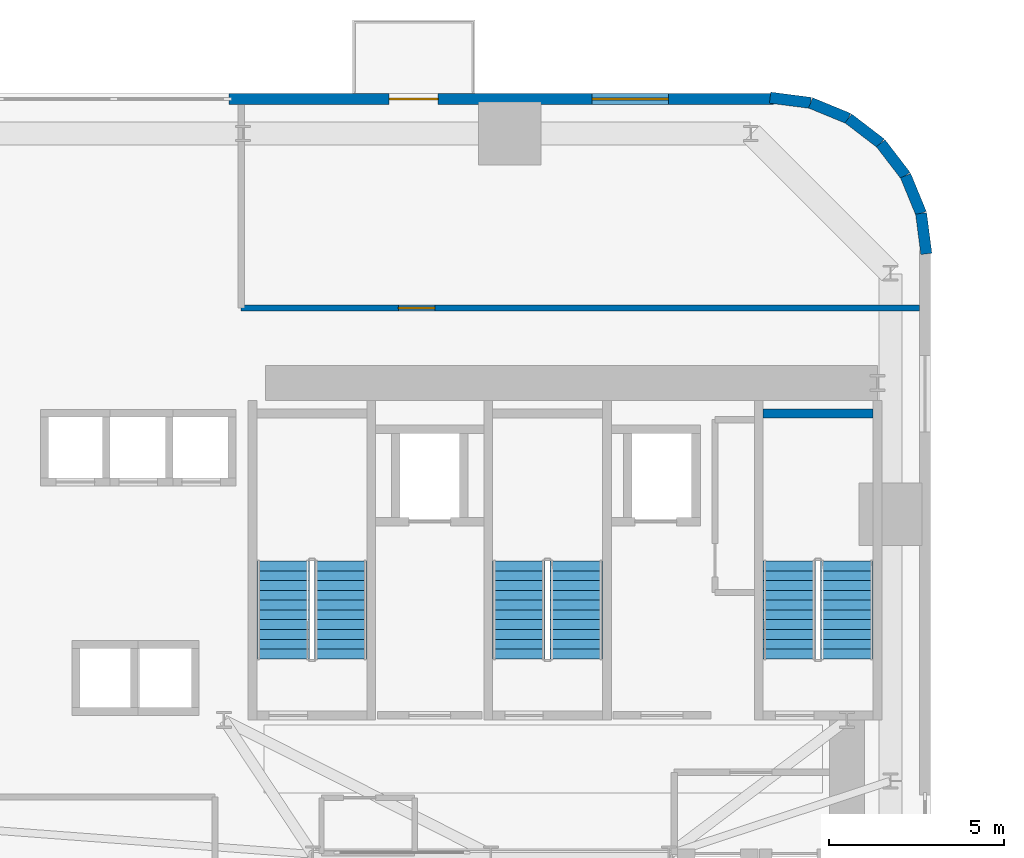
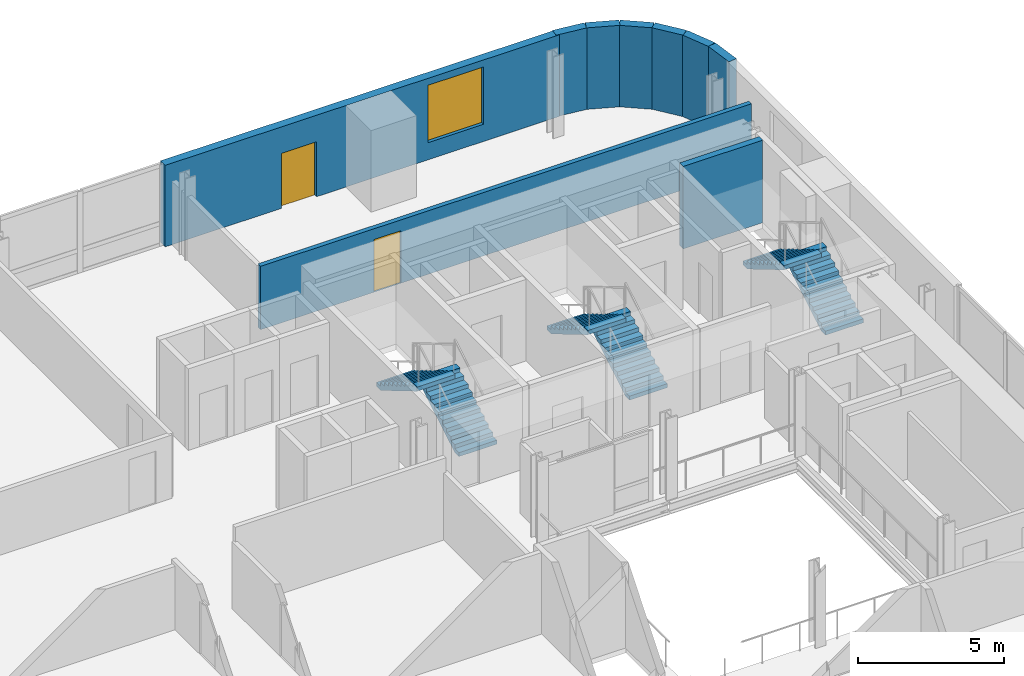
# One storey, part 9 of 13: 9 walls, 6 stair flights, 2 doors, 1 window, 3 openings, 3 elements without a shape of their own.
"""IFC4 building model written with IfcOpenShell, lengths in metres."""

from ifc_helpers import new_model, si_unit, direction, frame, frame_2d, origin, place, context, subcontext, project, spatial, polyline, rectangle, outline, extrude, source, transform, mapped, material, layer, layer_set, type_object, element, fill, aggregate, save


model = new_model("IFC4")

# Units and contexts
model_context = context("Model", 3, precision=1e-05, world=origin(), true_north=direction((0.0, 1.0)))
body_context = subcontext(model_context, "Body", "Model", "MODEL_VIEW")
ifc_project = project(units=[si_unit("LENGTHUNIT", "METRE"), si_unit("AREAUNIT", "SQUARE_METRE"), si_unit("VOLUMEUNIT", "CUBIC_METRE"), si_unit("PLANEANGLEUNIT", "RADIAN"), si_unit("MASSUNIT", "GRAM", prefix="KILO")], contexts=[model_context])

# Site, building, storey
site_placement = place(None, origin())
site = spatial("IfcSite", under=ifc_project, at=site_placement, CompositionType="ELEMENT")
building_placement = place(site_placement, origin())
building = spatial("IfcBuilding", under=site, at=building_placement, Name="Vardaveli Station Tower", CompositionType="ELEMENT")
storey_placement = place(building_placement, frame((0.0, 0.0, 31.25)))
storey = spatial("IfcBuildingStorey", under=building, at=storey_placement, Name="L07", CompositionType="ELEMENT", Elevation=31.25)

# Wall, openings, door, window
ifc_material_1 = material(Name="Precast concrete C45/55", Category="concrete")
ifc_layer_1 = layer(ifc_material_1, 0.320068359375, Name="Precast concrete C45/55")
ifc_layer_set_1 = layer_set([ifc_layer_1], Name="Precast concrete C45/55")
wall_type_1 = type_object("IfcWallType", Name="WAL-EXT-STONE-320", PredefinedType="SOLIDWALL", material=ifc_layer_set_1)
shared_shape_1 = source(origin(), body_context, "Body", "SweptSolid", [
    extrude(rectangle(XDim=15.599853515625, YDim=0.320068359375, at=frame_2d((7.7998046875, 0.0))), origin(), (0.0, 0.0, 1.0), 3.409912109375),
])
wall_1_placement = place(storey_placement, frame((44.39990234375, 48.43994140625, 0.0), z_axis=(0.0, 0.0, 1.0), x_axis=(-1.0, 0.0, 0.0)))
wall_1 = element("IfcWall", 1, at=wall_1_placement, inside=storey, type_object=wall_type_1, Name="EW-L07-N1", PredefinedType="SOLIDWALL", context=body_context, shape_type="MappedRepresentation", body=[
    mapped(shared_shape_1, transform((0.0, 0.0, 0.0), scale=1.0)),
])
shared_shape_2 = source(origin(), body_context, "Body", "SweptSolid", [
    extrude(rectangle(XDim=1.39990234375, YDim=2.300048828125, at=frame_2d((0.699951171875, 1.14990234375))), frame((0.0, 0.169921875, 0.0), z_axis=(0.0, -1.0, 0.0), x_axis=(1.0, 0.0, 0.0)), (0.0, 0.0, 1.0), 0.340087890625),
])
opening_1_placement = place(wall_1_placement, frame((9.6103515625, 0.0, 0.0)))
opening_1 = element("IfcOpeningElement", 2, at=opening_1_placement, cuts=wall_1, Name="Opening D-09", PredefinedType="OPENING", context=body_context, shape_type="MappedRepresentation", body=[
    mapped(shared_shape_2, transform((0.0, 0.0, 0.0), scale=1.0)),
])
shared_shape_3 = source(origin(), body_context, "Body", "SweptSolid", [
    extrude(rectangle(XDim=2.199951171875, YDim=2.39990234375, at=frame_2d((1.10009765625, 1.199951171875))), frame((0.0, 0.169921875, 0.0), z_axis=(0.0, -1.0, 0.0), x_axis=(1.0, 0.0, 0.0)), (0.0, 0.0, 1.0), 0.340087890625),
])
opening_2_placement = place(wall_1_placement, frame((3.0048828125, 0.0, 0.719970703125)))
opening_2 = element("IfcOpeningElement", 3, at=opening_2_placement, cuts=wall_1, Name="Opening W-03", PredefinedType="OPENING", context=body_context, shape_type="MappedRepresentation", body=[
    mapped(shared_shape_3, transform((0.0, 0.0, 0.0), scale=1.0)),
])
ifc_material_2 = material(Name="Thermally broken aluminium glass", Category="aluminium")
door_type_1 = type_object("IfcDoorType", Name="DR-LOG-1400x2300", OperationType="DOUBLE_DOOR_SLIDING", PredefinedType="DOOR", material=ifc_material_2)
shared_shape_4 = source(origin(), body_context, "Body", "SweptSolid", [
    extrude(rectangle(XDim=1.39990234375, YDim=2.300048828125, at=frame_2d((0.699951171875, 1.14990234375))), frame((0.0, 0.02490234375, 0.0), z_axis=(0.0, -1.0, 0.0), x_axis=(1.0, 0.0, 0.0)), (0.0, 0.0, 1.0), 0.050048828125),
])
door_1_placement = place(opening_1_placement, frame((1.39990234375, 0.0, 0.0), z_axis=(0.0, 0.0, 1.0), x_axis=(-1.0, 0.0, 0.0)))
door_1 = element("IfcDoor", 4, at=door_1_placement, inside=storey, type_object=door_type_1, Name="DLG-L07-N", OperationType="DOUBLE_DOOR_SLIDING", OverallHeight=2.300048828125, OverallWidth=1.39990234375, PredefinedType="DOOR", context=body_context, shape_type="MappedRepresentation", body=[
    mapped(shared_shape_4, transform((0.0, 0.0, 0.0), scale=1.0)),
])
fill(opening_1, door_1)
ifc_material_3 = material(Name="Low-E solar-control glass", Category="glass")
window_type = type_object("IfcWindowType", Name="WIN-LOG-2200x2400", PartitioningType="SINGLE_PANEL", PredefinedType="WINDOW", material=ifc_material_3)
shared_shape_5 = source(origin(), body_context, "Body", "SweptSolid", [
    extrude(rectangle(XDim=2.199951171875, YDim=2.39990234375, at=frame_2d((1.10009765625, 1.199951171875))), frame((0.0, 0.030029296875, 0.0), z_axis=(0.0, -1.0, 0.0), x_axis=(1.0, 0.0, 0.0)), (0.0, 0.0, 1.0), 0.06005859375),
])
window_placement = place(opening_2_placement, origin())
window = element("IfcWindow", 5, at=window_placement, inside=storey, type_object=window_type, Name="WN-L07-N1", OverallHeight=2.39990234375, OverallWidth=2.199951171875, PartitioningType="SINGLE_PANEL", PredefinedType="WINDOW", context=body_context, shape_type="MappedRepresentation", body=[
    mapped(shared_shape_5, transform((0.0, 0.0, 0.0), scale=1.0)),
])
fill(opening_2, window)

# Walls
shared_shape_6 = source(origin(), body_context, "Body", "SweptSolid", [
    extrude(rectangle(XDim=1.1689453125, YDim=0.320068359375, at=frame_2d((0.58447265625, 0.0))), origin(), (0.0, 0.0, 1.0), 3.409912109375),
])
wall_2_placement = place(storey_placement, frame((48.179931640625, 46.2412109375, 0.0), z_axis=(0.0, 0.0, 1.0), x_axis=(-0.608387696831, 0.793639975269, 0.0)))
element("IfcWall", 6, at=wall_2_placement, inside=storey, type_object=wall_type_1, Name="EW-L07-CR3-3", PredefinedType="SOLIDWALL", context=body_context, shape_type="MappedRepresentation", body=[
    mapped(shared_shape_6, transform((0.0, 0.0, 0.0), scale=1.0)),
])
shared_shape_7 = source(origin(), body_context, "Body", "SweptSolid", [
    extrude(rectangle(XDim=1.168701171875, YDim=0.320068359375, at=frame_2d((0.58447265625, 0.0))), origin(), (0.0, 0.0, 1.0), 3.409912109375),
])
wall_3_placement = place(storey_placement, frame((47.46875, 47.1689453125, 0.0), z_axis=(0.0, 0.0, 1.0), x_axis=(-0.793663520347, 0.608356981114, 0.0)))
element("IfcWall", 7, at=wall_3_placement, inside=storey, type_object=wall_type_1, Name="EW-L07-CR3-4", PredefinedType="SOLIDWALL", context=body_context, shape_type="MappedRepresentation", body=[
    mapped(shared_shape_7, transform((0.0, 0.0, 0.0), scale=1.0)),
])
shared_shape_8 = source(origin(), body_context, "Body", "SweptSolid", [
    extrude(rectangle(XDim=1.17041015625, YDim=0.320068359375, at=frame_2d((0.585205078125, 0.0))), origin(), (0.0, 0.0, 1.0), 3.409912109375),
])
for number, where, z_axis, x_axis, name in (
    (8, (48.775634765625, 43.99951171875, 0.0), (0.0, 0.0, 1.0), (-0.128295670475, 0.991735963317, 0.0), "EW-L07-CR3-1"),
    (9, (45.460205078125, 48.325439453125, 0.0), (0.0, 0.0, 1.0), (-0.991735963317, 0.128295670475, 0.0), "EW-L07-CR3-6"),
):
    element("IfcWall", number, at=place(storey_placement, frame(where, z_axis=z_axis, x_axis=x_axis)), inside=storey, type_object=wall_type_1, Name=name, PredefinedType="SOLIDWALL", context=body_context, shape_type="MappedRepresentation", body=[
        mapped(shared_shape_8, transform((0.0, 0.0, 0.0), scale=1.0)),
    ])
shared_shape_9 = source(origin(), body_context, "Body", "SweptSolid", [
    extrude(rectangle(XDim=1.169189453125, YDim=0.320068359375, at=frame_2d((0.58447265625, 0.0))), origin(), (0.0, 0.0, 1.0), 3.409912109375),
])
for number, where, z_axis, x_axis, name in (
    (10, (48.62548828125, 45.16015625, 0.0), (0.0, 0.0, 1.0), (-0.381054331552, 0.924552646638, 0.0), "EW-L07-CR3-2"),
    (11, (46.541259765625, 47.8798828125, 0.0), (0.0, 0.0, 1.0), (-0.924552646638, 0.381054331552, 0.0), "EW-L07-CR3-5"),
):
    element("IfcWall", number, at=place(storey_placement, frame(where, z_axis=z_axis, x_axis=x_axis)), inside=storey, type_object=wall_type_1, Name=name, PredefinedType="SOLIDWALL", context=body_context, shape_type="MappedRepresentation", body=[
        mapped(shared_shape_9, transform((0.0, 0.0, 0.0), scale=1.0)),
    ])
ifc_material_4 = material(Name="Concrete C40/50", Category="concrete")
ifc_layer_2 = layer(ifc_material_4, 0.25, Name="Concrete C40/50")
ifc_layer_set_2 = layer_set([ifc_layer_2], Name="Concrete C40/50")
wall_type_2 = type_object("IfcWallType", Name="WAL-SHAFT-250", PredefinedType="SOLIDWALL", material=ifc_layer_set_2)
shared_shape_10 = source(origin(), body_context, "Body", "SweptSolid", [
    extrude(rectangle(XDim=3.14990234375, YDim=0.25, at=frame_2d((1.574951171875, 0.0))), origin(), (0.0, 0.0, 1.0), 3.449951171875),
])
wall_4_placement = place(storey_placement, frame((44.10009765625, 39.425048828125, 0.0), z_axis=(0.0, 0.0, 1.0), x_axis=(1.0, 0.0, 0.0)))
element("IfcWall", 12, at=wall_4_placement, inside=storey, type_object=wall_type_2, Name="W-L07-ST-3N", PredefinedType="SOLIDWALL", context=body_context, shape_type="MappedRepresentation", body=[
    mapped(shared_shape_10, transform((0.0, 0.0, 0.0), scale=1.0)),
])

# Wall, opening, door
ifc_material_5 = material(Name="Fire-rated gypsum stud partition")
ifc_layer_3 = layer(ifc_material_5, 0.179931640625, Name="Fire-rated gypsum stud partition")
ifc_layer_set_3 = layer_set([ifc_layer_3], Name="Fire-rated gypsum stud partition")
wall_type_3 = type_object("IfcWallType", Name="WAL-CORR-180", PredefinedType="PARTITIONING", material=ifc_layer_set_3)
shared_shape_11 = source(origin(), body_context, "Body", "SweptSolid", [
    extrude(rectangle(XDim=19.427978515625, YDim=0.179931640625, at=frame_2d((9.7138671875, 0.0))), origin(), (0.0, 0.0, 1.0), 2.652099609375),
])
wall_5_placement = place(storey_placement, frame((29.14990234375, 42.449951171875, 0.0), z_axis=(0.0, 0.0, 1.0), x_axis=(1.0, 0.0, 0.0)))
wall_5 = element("IfcWall", 13, at=wall_5_placement, inside=storey, type_object=wall_type_3, Name="W-L07-NPS", PredefinedType="PARTITIONING", context=body_context, shape_type="MappedRepresentation", body=[
    mapped(shared_shape_11, transform((0.0, 0.0, 0.0), scale=1.0)),
])
shared_shape_12 = source(origin(), body_context, "Body", "SweptSolid", [
    extrude(rectangle(XDim=1.050048828125, YDim=2.199951171875, at=frame_2d((0.52490234375, 1.10009765625))), frame((0.0, 0.10009765625, 0.0), z_axis=(0.0, -1.0, 0.0), x_axis=(1.0, 0.0, 0.0)), (0.0, 0.0, 1.0), 0.199951171875),
])
opening_3_placement = place(wall_5_placement, frame((4.5, 0.0, 0.0)))
opening_3 = element("IfcOpeningElement", 14, at=opening_3_placement, cuts=wall_5, Name="Opening D-05", PredefinedType="OPENING", context=body_context, shape_type="MappedRepresentation", body=[
    mapped(shared_shape_12, transform((0.0, 0.0, 0.0), scale=1.0)),
])
ifc_material_6 = material(Name="Walnut veneer acoustic fire door")
door_type_2 = type_object("IfcDoorType", Name="DR-SUITE-1050x2200", OperationType="NOTDEFINED", PredefinedType="DOOR", material=ifc_material_6)
shared_shape_13 = source(origin(), body_context, "Body", "SweptSolid", [
    extrude(rectangle(XDim=1.050048828125, YDim=2.199951171875, at=frame_2d((0.52490234375, 1.10009765625))), frame((0.0, 0.02490234375, 0.0), z_axis=(0.0, -1.0, 0.0), x_axis=(1.0, 0.0, 0.0)), (0.0, 0.0, 1.0), 0.050048828125),
])
door_2_placement = place(opening_3_placement, origin())
door_2 = element("IfcDoor", 15, at=door_2_placement, inside=storey, type_object=door_type_2, Name="D-L07-NP1", OperationType="SINGLE_SWING_RIGHT", OverallHeight=2.199951171875, OverallWidth=1.050048828125, PredefinedType="DOOR", context=body_context, shape_type="MappedRepresentation", body=[
    mapped(shared_shape_13, transform((0.0, 0.0, 0.0), scale=1.0)),
])
fill(opening_3, door_2)

# Stair, stair flights
stair_type = type_object("IfcStairType", Name="STR-CORE-1500", PredefinedType="HALF_TURN_STAIR", material=ifc_material_4)
stair_1_placement = place(storey_placement, origin())
stair_1 = element("IfcStair", 16, at=stair_1_placement, inside=storey, type_object=stair_type, Name="L07 ST-1", PredefinedType="HALF_TURN_STAIR")
stair_flight_type = type_object("IfcStairFlightType", Name="SFL-CORE-1500", PredefinedType="STRAIGHT", material=ifc_material_4)
shared_shape_14 = source(origin(), body_context, "Body", "SweptSolid", [
    extrude(outline(polyline([(0.0, 0.0), (0.0, 0.166015625), (0.280029296875, 0.166015625), (0.280029296875, 0.331787109375), (0.56005859375, 0.331787109375), (0.56005859375, 0.497802734375), (0.840087890625, 0.497802734375), (0.840087890625, 0.66357421875), (1.1201171875, 0.66357421875), (1.1201171875, 0.82958984375), (1.39990234375, 0.82958984375), (1.39990234375, 0.995361328125), (1.679931640625, 0.995361328125), (1.679931640625, 1.161376953125), (1.9599609375, 1.161376953125), (1.9599609375, 1.327392578125), (2.239990234375, 1.327392578125), (2.239990234375, 1.4931640625), (2.52001953125, 1.4931640625), (2.52001953125, 1.6591796875), (2.800048828125, 1.6591796875), (2.800048828125, 1.824951171875), (2.800048828125, 1.48486328125), (0.2939453125, 0.0), (0.0, 0.0)])), frame((0.0, 0.75, 0.0), z_axis=(0.0, -1.0, 0.0), x_axis=(1.0, 0.0, 0.0)), (0.0, 0.0, 1.0), 1.5),
])
stair_flight_1_placement = place(storey_placement, frame((32.0, 32.39990234375, 0.0), z_axis=(0.0, 0.0, 1.0), x_axis=(0.0, 1.0, 0.0)))
stair_flight_1 = element("IfcStairFlight", 17, at=stair_flight_1_placement, type_object=stair_flight_type, Name="ST-1 flight 1", NumberOfRisers=11, NumberOfTreads=10, PredefinedType="STRAIGHT", RiserHeight=0.165909091, TreadLength=0.28, context=body_context, shape_type="MappedRepresentation", body=[
    mapped(shared_shape_14, transform((0.0, 0.0, 0.0), scale=1.0)),
])
stair_flight_2_placement = place(storey_placement, frame((30.35009765625, 35.199951171875, 1.824951171875), z_axis=(0.0, 0.0, 1.0), x_axis=(0.0, -1.0, 0.0)))
stair_flight_2 = element("IfcStairFlight", 18, at=stair_flight_2_placement, type_object=stair_flight_type, Name="ST-1 flight 2", NumberOfRisers=11, NumberOfTreads=10, PredefinedType="STRAIGHT", RiserHeight=0.165909091, TreadLength=0.28, context=body_context, shape_type="MappedRepresentation", body=[
    mapped(shared_shape_14, transform((0.0, 0.0, 0.0), scale=1.0)),
])
aggregate(stair_1, [stair_flight_1, stair_flight_2])

stair_2_placement = place(storey_placement, origin())
stair_2 = element("IfcStair", 19, at=stair_2_placement, inside=storey, type_object=stair_type, Name="L07 ST-2", PredefinedType="HALF_TURN_STAIR")
stair_flight_3_placement = place(storey_placement, frame((38.75, 32.39990234375, 0.0), z_axis=(0.0, 0.0, 1.0), x_axis=(0.0, 1.0, 0.0)))
stair_flight_3 = element("IfcStairFlight", 20, at=stair_flight_3_placement, type_object=stair_flight_type, Name="ST-2 flight 1", NumberOfRisers=11, NumberOfTreads=10, PredefinedType="STRAIGHT", RiserHeight=0.165909091, TreadLength=0.28, context=body_context, shape_type="MappedRepresentation", body=[
    mapped(shared_shape_14, transform((0.0, 0.0, 0.0), scale=1.0)),
])
stair_flight_4_placement = place(storey_placement, frame((37.10009765625, 35.199951171875, 1.824951171875), z_axis=(0.0, 0.0, 1.0), x_axis=(0.0, -1.0, 0.0)))
stair_flight_4 = element("IfcStairFlight", 21, at=stair_flight_4_placement, type_object=stair_flight_type, Name="ST-2 flight 2", NumberOfRisers=11, NumberOfTreads=10, PredefinedType="STRAIGHT", RiserHeight=0.165909091, TreadLength=0.28, context=body_context, shape_type="MappedRepresentation", body=[
    mapped(shared_shape_14, transform((0.0, 0.0, 0.0), scale=1.0)),
])
aggregate(stair_2, [stair_flight_3, stair_flight_4])

stair_3_placement = place(storey_placement, origin())
stair_3 = element("IfcStair", 22, at=stair_3_placement, inside=storey, type_object=stair_type, Name="L07 ST-3", PredefinedType="HALF_TURN_STAIR")
stair_flight_5_placement = place(storey_placement, frame((46.5, 32.39990234375, 0.0), z_axis=(0.0, 0.0, 1.0), x_axis=(0.0, 1.0, 0.0)))
stair_flight_5 = element("IfcStairFlight", 23, at=stair_flight_5_placement, type_object=stair_flight_type, Name="ST-3 flight 1", NumberOfRisers=11, NumberOfTreads=10, PredefinedType="STRAIGHT", RiserHeight=0.165909091, TreadLength=0.28, context=body_context, shape_type="MappedRepresentation", body=[
    mapped(shared_shape_14, transform((0.0, 0.0, 0.0), scale=1.0)),
])
stair_flight_6_placement = place(storey_placement, frame((44.85009765625, 35.199951171875, 1.824951171875), z_axis=(0.0, 0.0, 1.0), x_axis=(0.0, -1.0, 0.0)))
stair_flight_6 = element("IfcStairFlight", 24, at=stair_flight_6_placement, type_object=stair_flight_type, Name="ST-3 flight 2", NumberOfRisers=11, NumberOfTreads=10, PredefinedType="STRAIGHT", RiserHeight=0.165909091, TreadLength=0.28, context=body_context, shape_type="MappedRepresentation", body=[
    mapped(shared_shape_14, transform((0.0, 0.0, 0.0), scale=1.0)),
])
aggregate(stair_3, [stair_flight_5, stair_flight_6])

save(model, "model.ifc")
